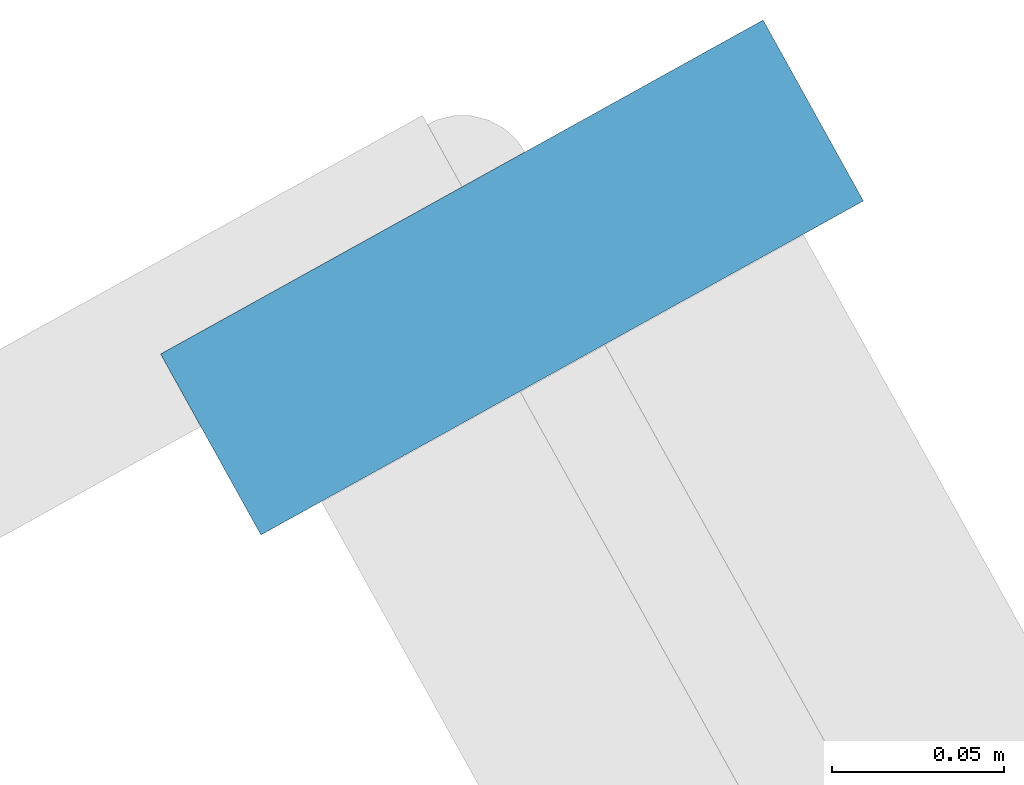
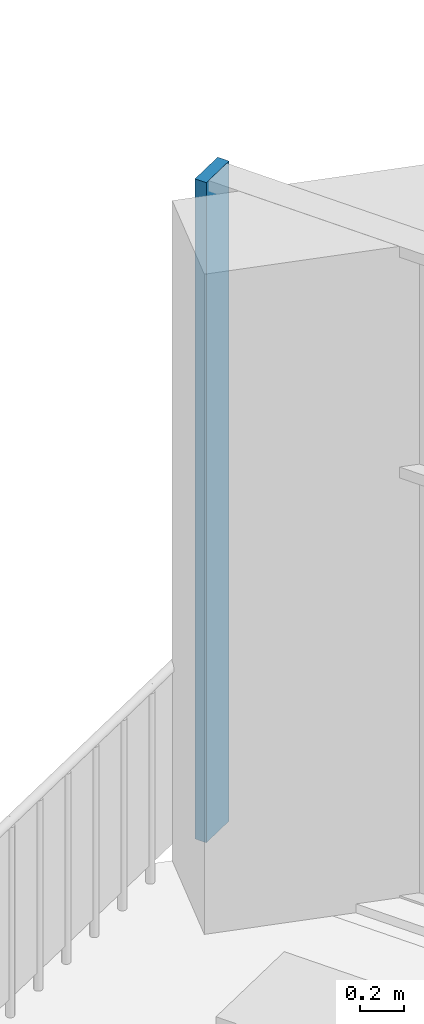
# One storey, part 4 of 15: 1 member, 1 element without a shape of its own.
"""IFC4 building model written with IfcOpenShell, lengths in metres."""

import ifcopenshell
import ifcopenshell.guid

model = None  # the IFC model being written
_history = None  # IfcOwnerHistory: only IFC2X3 demands one
_inside = {}  # id of a spatial element -> (the spatial element, [elements in it])
_under = {}  # id of a project, library or spatial element -> (it, [spatial elements below it])
_declared = {}  # id of a project -> (the project, [libraries it declares])
_typed = {}  # id of a type object -> (the type object, [elements of that type])
_made_of = {}  # id of a material, layer set ... -> (it, [elements and type objects made of it])


def new_model(schema):
    """Start an empty IFC model of exactly this schema.

    Asked for "IFC4X3", IfcOpenShell would pick the latest addendum, in which some entities
    have other attributes; the version numbers below select the first issue.
    IFC2X3 requires an IfcOwnerHistory on every rooted entity: one is made here for all.
    """
    global model, _history
    if schema == "IFC4X3":
        model = ifcopenshell.file(schema_version=(4, 3, 0, 0))
    else:
        model = ifcopenshell.file(schema=schema)
    _inside.clear()
    _under.clear()
    _declared.clear()
    _typed.clear()
    _made_of.clear()
    _history = None
    if model.schema == "IFC2X3":
        org = make("IfcOrganization", Name="unknown")
        user = make(
            "IfcPersonAndOrganization",
            ThePerson=make("IfcPerson", FamilyName="unknown"),
            TheOrganization=org,
        )
        app = make(
            "IfcApplication",
            ApplicationDeveloper=org,
            Version="unknown",
            ApplicationFullName="unknown",
            ApplicationIdentifier="unknown",
        )
        _history = make(
            "IfcOwnerHistory",
            OwningUser=user,
            OwningApplication=app,
            ChangeAction="ADDED",
            CreationDate=0,
        )
    return model


def make(cls, **values):
    """One entity of the class cls with the attributes given. An attribute that is None is left unset."""
    return model.create_entity(
        cls, **{name: value for name, value in values.items() if value is not None}
    )


def rooted(cls, **values):
    """An entity with a GlobalId (a new one), such as an element, a storey or a relation."""
    return make(cls, GlobalId=ifcopenshell.guid.new(), OwnerHistory=_history, **values)


def si_unit(unit_type, name, prefix=None):
    """IfcSIUnit, for example si_unit("LENGTHUNIT", "METRE", prefix="MILLI")."""
    return make("IfcSIUnit", UnitType=unit_type, Prefix=prefix, Name=name)


def assignment(units):
    """IfcUnitAssignment: the units of a project."""
    return None if units is None else make("IfcUnitAssignment", Units=units)


def point(xyz):
    """IfcCartesianPoint."""
    return None if xyz is None else make("IfcCartesianPoint", Coordinates=xyz)


def direction(xyz):
    """IfcDirection."""
    return None if xyz is None else make("IfcDirection", DirectionRatios=xyz)


def frame(location, z_axis=None, x_axis=None):
    """IfcAxis2Placement3D, a coordinate frame: its origin and axes. An axis left out is left unset."""
    return make(
        "IfcAxis2Placement3D",
        Location=point(location),
        Axis=direction(z_axis),
        RefDirection=direction(x_axis),
    )


def frame_2d(location, x_axis=None):
    """IfcAxis2Placement2D, a coordinate frame in the plane: its origin and x axis."""
    return make(
        "IfcAxis2Placement2D", Location=point(location), RefDirection=direction(x_axis)
    )


def origin():
    """The frame at (0, 0, 0) with its axes left unset."""
    return frame((0.0, 0.0, 0.0))


def origin_2d():
    """The frame at (0, 0) in the plane with its x axis left unset."""
    return frame_2d((0.0, 0.0))


def place(relative_to, where):
    """IfcLocalPlacement: puts the frame where relative to a parent placement (None: the world)."""
    return make(
        "IfcLocalPlacement", PlacementRelTo=relative_to, RelativePlacement=where
    )


def context(
    kind, dimensions, precision=None, world=None, true_north=None, identifier=None
):
    """IfcGeometricRepresentationContext, for example the 3D "Model" context."""
    return make(
        "IfcGeometricRepresentationContext",
        ContextIdentifier=identifier,
        ContextType=kind,
        CoordinateSpaceDimension=dimensions,
        Precision=precision,
        WorldCoordinateSystem=world,
        TrueNorth=true_north,
    )


def subcontext(parent, identifier, kind, view, scale=None):
    """IfcGeometricRepresentationSubContext, for example "Body" below "Model"."""
    return make(
        "IfcGeometricRepresentationSubContext",
        ContextIdentifier=identifier,
        ContextType=kind,
        ParentContext=parent,
        TargetScale=scale,
        TargetView=view,
    )


def project(units=None, contexts=None):
    """IfcProject with its units and contexts."""
    return rooted(
        "IfcProject",
        Name="project",
        RepresentationContexts=contexts,
        UnitsInContext=assignment(units),
    )


def spatial(cls, under=None, at=None, **own):
    """A site, building, storey or space (cls), placed at a placement, below another one or the project."""
    s = rooted(cls, ObjectPlacement=at, **own)
    if under is not None:
        _under.setdefault(under.id(), (under, []))[1].append(s)
    return s


def profile(cls, at=None, kind="AREA", **sizes):
    """A parametric profile (cls). Its sizes go by their IFC names, for example OverallWidth=200.0."""
    return make(cls, ProfileType=kind, Position=at, **sizes)


def rectangle(**sizes):
    """IfcRectangleProfileDef."""
    return profile("IfcRectangleProfileDef", **sizes)


def extrude(swept, where, along, depth):
    """IfcExtrudedAreaSolid: the profile swept, set in the frame where, extruded along a direction by depth."""
    return make(
        "IfcExtrudedAreaSolid",
        SweptArea=swept,
        Position=where,
        ExtrudedDirection=direction(along),
        Depth=depth,
    )


def shape(context_of_items, identifier, shape_type, items):
    """IfcShapeRepresentation: the items that make up one representation, for example the "Body"."""
    return make(
        "IfcShapeRepresentation",
        ContextOfItems=context_of_items,
        RepresentationIdentifier=identifier,
        RepresentationType=shape_type,
        Items=items,
    )


def material(Name=None, Category=None):
    """IfcMaterial."""
    return make("IfcMaterial", Name=Name, Category=Category)


def material_profile(
    of_material, cross_section, Name=None, Category=None, Priority=None
):
    """IfcMaterialProfile: a cross section and its material."""
    return make(
        "IfcMaterialProfile",
        Name=Name,
        Material=of_material,
        Profile=cross_section,
        Priority=Priority,
        Category=Category,
    )


def profile_set(profiles, Name=None, composite=None):
    """IfcMaterialProfileSet."""
    return make(
        "IfcMaterialProfileSet",
        Name=Name,
        MaterialProfiles=profiles,
        CompositeProfile=composite,
    )


def made_of(thing, what):
    """Note that an element or type object is made of a material, layer set ...; save() writes the relation."""
    if what is not None:
        _made_of.setdefault(what.id(), (what, []))[1].append(thing)
    return thing


def type_object(cls, material=None, **own):
    """A type object (cls), such as IfcWallType, which elements share."""
    return made_of(rooted(cls, **own), material)


def element(
    cls,
    number,
    at=None,
    inside=None,
    cuts=None,
    type_object=None,
    material=None,
    context=None,
    identifier="Body",
    shape_type=None,
    held_by="IfcProductDefinitionShape",
    body=None,
    shapes=None,
    **own,
):
    """One element of the class cls, such as IfcWall. Its Tag is "e" and its number.

    at: its placement. inside: the storey or other place that contains it. cuts: it is an
    opening in that element (IfcRelVoidsElement). A single representation is given by context,
    identifier, shape_type and body (its items); several are given by shapes. held_by: the class
    of the entity that holds the representations. save() writes the other relations.
    """
    e = rooted(cls, Tag="e%d" % number, ObjectPlacement=at, **own)
    if body is not None:
        shapes = [shape(context, identifier, shape_type, body)]
    if shapes is not None:
        e.Representation = make(held_by, Representations=shapes)
    if inside is not None:
        _inside.setdefault(inside.id(), (inside, []))[1].append(e)
    if cuts is not None:
        rooted(
            "IfcRelVoidsElement", RelatingBuildingElement=cuts, RelatedOpeningElement=e
        )
    if type_object is not None:
        _typed.setdefault(type_object.id(), (type_object, []))[1].append(e)
    return made_of(e, material)


def aggregate(whole, parts):
    """IfcRelAggregates: a whole, such as a stair, and the parts it consists of."""
    return rooted("IfcRelAggregates", RelatingObject=whole, RelatedObjects=parts)


def save(model, path):
    """Write the relations noted so far, then the file.

    IfcRelAggregates (storeys below a building ...), IfcRelContainedInSpatialStructure (elements
    in a storey), IfcRelDefinesByType, IfcRelAssociatesMaterial and IfcRelDeclares: one each for
    every whole, place, type object, material and project.
    """
    for whole, parts in _under.values():
        aggregate(whole, parts)
    for where, things in _inside.values():
        rooted(
            "IfcRelContainedInSpatialStructure",
            RelatedElements=things,
            RelatingStructure=where,
        )
    for kind, things in _typed.values():
        rooted("IfcRelDefinesByType", RelatedObjects=things, RelatingType=kind)
    for what, things in _made_of.values():
        rooted("IfcRelAssociatesMaterial", RelatedObjects=things, RelatingMaterial=what)
    for by, libraries in _declared.values():
        rooted("IfcRelDeclares", RelatingContext=by, RelatedDefinitions=libraries)
    model.write(path)


model = new_model("IFC4")

# Units and contexts
model_context = context("Model", 3, precision=1e-05, world=origin(), true_north=direction((0.0, 1.0)))
body_context = subcontext(model_context, "Body", "Model", "MODEL_VIEW")
ifc_project = project(units=[si_unit("LENGTHUNIT", "METRE"), si_unit("AREAUNIT", "SQUARE_METRE"), si_unit("VOLUMEUNIT", "CUBIC_METRE"), si_unit("PLANEANGLEUNIT", "RADIAN"), si_unit("MASSUNIT", "GRAM", prefix="KILO")], contexts=[model_context])

# Site, building, storey
site_placement = place(None, origin())
site = spatial("IfcSite", under=ifc_project, at=site_placement, CompositionType="ELEMENT")
building_placement = place(site_placement, origin())
building = spatial("IfcBuilding", under=site, at=building_placement, Name="Dilmun Exchange Tower", CompositionType="ELEMENT")
storey_placement = place(building_placement, frame((0.0, 0.0, 324.5)))
storey = spatial("IfcBuildingStorey", under=building, at=storey_placement, Name="L77", CompositionType="ELEMENT", Elevation=324.5)

# Curtain wall, member
ifc_material_1 = material(Name="Anodised aluminium and clear glass", Category="aluminium")
curtain_wall_type = type_object("IfcCurtainWallType", Name="Garden corner glazing", PredefinedType="NOTDEFINED", material=ifc_material_1)
curtain_wall_placement = place(storey_placement, origin())
curtain_wall = element("IfcCurtainWall", 1, at=curtain_wall_placement, inside=storey, type_object=curtain_wall_type, Name="Garden corner glazing run GC1.1", PredefinedType="NOTDEFINED")
ifc_material_2 = material(Name="Anodised aluminium", Category="aluminium")
ifc_material_profile = material_profile(ifc_material_2, rectangle(XDim=0.199951171875, YDim=0.06005859375, at=origin_2d()), Name="AL 60x200")
ifc_profile_set = profile_set([ifc_material_profile], Name="Anodised aluminium")
member_type = type_object("IfcMemberType", Name="Garden corner glazing mullion 60 x 200", PredefinedType="MULLION", material=ifc_profile_set)
member_placement = place(storey_placement, frame((-12.12109375, 34.88330078125, 0.0), z_axis=(0.0, 0.0, 1.0), x_axis=(0.87462355202, 0.484802683833, 0.0)))
member = element("IfcMember", 2, at=member_placement, type_object=member_type, Name="GC1.1 mullion 1", PredefinedType="MULLION", context=body_context, shape_type="SweptSolid", body=[
    extrude(rectangle(XDim=0.199951171875, YDim=0.06005859375, at=origin_2d()), origin(), (0.0, 0.0, 1.0), 3.64990234375),
])
aggregate(curtain_wall, [member])

save(model, "model.ifc")
